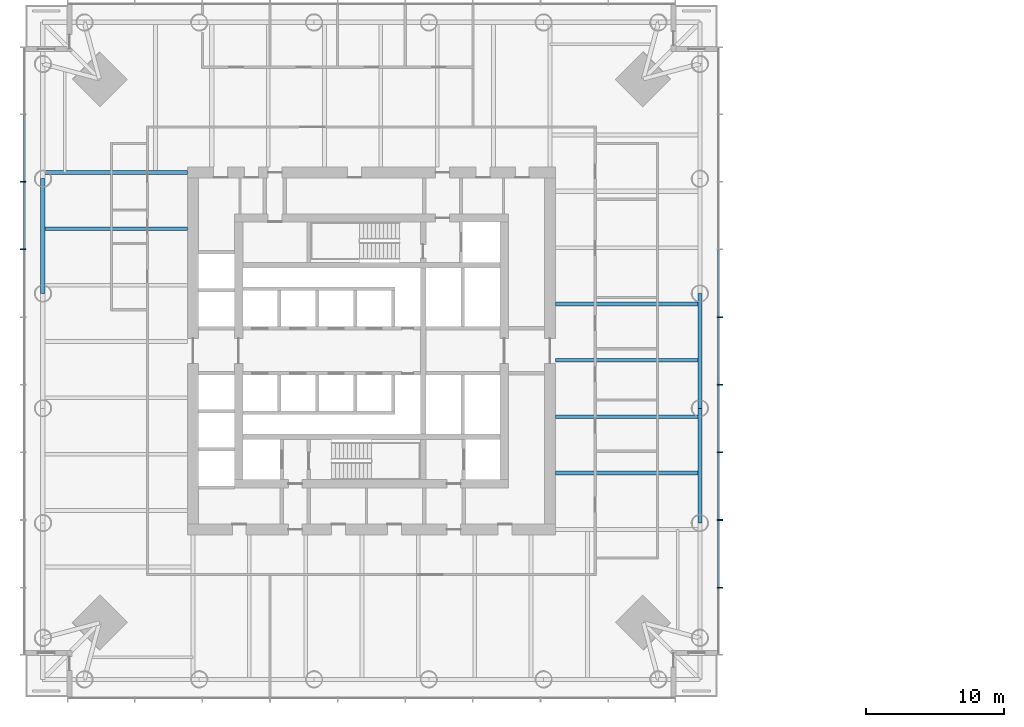
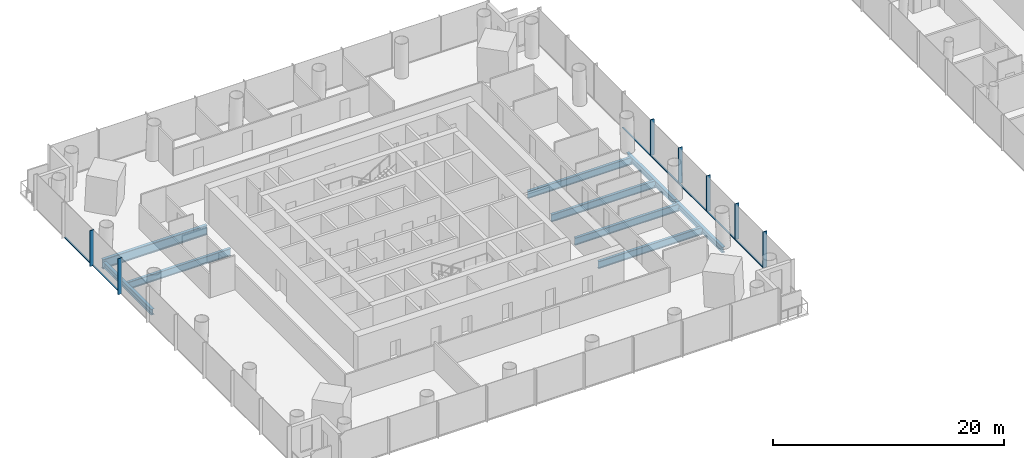
# One storey, part 3 of 20: 14 members, 9 beams, 2 elements without a shape of their own.
"""IFC4 building model written with IfcOpenShell, lengths in metres."""

from ifc_helpers import new_model, si_unit, direction, frame, origin, origin_2d, place, context, subcontext, project, spatial, rectangle, i_section, extrude, material, material_profile, profile_set, type_object, element, aggregate, save


model = new_model("IFC4")

# Units and contexts
model_context = context("Model", 3, precision=1e-05, world=origin(), true_north=direction((0.0, 1.0)))
body_context = subcontext(model_context, "Body", "Model", "MODEL_VIEW")
ifc_project = project(units=[si_unit("LENGTHUNIT", "METRE"), si_unit("AREAUNIT", "SQUARE_METRE"), si_unit("VOLUMEUNIT", "CUBIC_METRE"), si_unit("PLANEANGLEUNIT", "RADIAN"), si_unit("MASSUNIT", "GRAM", prefix="KILO")], contexts=[model_context])

# Site, building, storey
site_placement = place(None, origin())
site = spatial("IfcSite", under=ifc_project, at=site_placement, CompositionType="ELEMENT")
building_placement = place(site_placement, origin())
building = spatial("IfcBuilding", under=site, at=building_placement, Name="Ostroluk Exchange", CompositionType="ELEMENT")
storey_placement = place(building_placement, frame((0.0, 0.0, 28.60009765625)))
storey = spatial("IfcBuildingStorey", under=building, at=storey_placement, Name="L06", CompositionType="ELEMENT", Elevation=28.60009765625)

# Beams
ifc_material_1 = material(Name="Steel S355", Category="steel")
ifc_material_profile_1 = material_profile(ifc_material_1, i_section(OverallWidth=0.26806640625, OverallDepth=0.77001953125, WebThickness=0.015625, FlangeThickness=0.025390625, FilletRadius=0.01708984375, at=origin_2d()), Name="IPE 750x196")
ifc_profile_set_1 = profile_set([ifc_material_profile_1], Name="Steel S355")
beam_type_1 = type_object("IfcBeamType", Name="Floor beam IPE 750x196", PredefinedType="BEAM", material=ifc_profile_set_1)
for number, where, z_axis, x_axis, name in (
    (1, (58.300048828125, 37.173095703125, -0.565185546875), (1.0, 0.0, 0.0), (0.0, 1.0, 0.0), "T1 east floor beam 1"),
    (2, (58.300048828125, 41.24609375, -0.565185546875), (1.0, 0.0, 0.0), (0.0, 1.0, 0.0), "T1 east floor beam 2"),
    (3, (58.300048828125, 45.319091796875, -0.565185546875), (1.0, 0.0, 0.0), (0.0, 1.0, 0.0), "T1 east floor beam 3"),
    (4, (58.300048828125, 49.39208984375, -0.565185546875), (1.0, 0.0, 0.0), (0.0, 1.0, 0.0), "T1 east floor beam 4"),
    (5, (31.699951171875, 54.826904296875, -0.565185546875), (-1.0, 0.0, 0.0), (0.0, -1.0, 0.0), "T1 west floor beam 1"),
):
    element("IfcBeam", number, at=place(storey_placement, frame(where, z_axis=z_axis, x_axis=x_axis)), inside=storey, type_object=beam_type_1, Name=name, PredefinedType="BEAM", context=body_context, shape_type="SweptSolid", body=[
        extrude(i_section(OverallWidth=0.26806640625, OverallDepth=0.77001953125, WebThickness=0.015625, FlangeThickness=0.025390625, FilletRadius=0.01708984375, at=origin_2d()), origin(), (0.0, 0.0, 1.0), 10.45703125),
    ])
ifc_material_2 = material(Name="Steel S355", Category="steel")
ifc_material_profile_2 = material_profile(ifc_material_2, i_section(OverallWidth=0.302001953125, OverallDepth=1.008056640625, WebThickness=0.02099609375, FlangeThickness=0.0400390625, FilletRadius=0.030029296875, at=origin_2d()), Name="HEM 1000")
ifc_profile_set_2 = profile_set([ifc_material_profile_2], Name="Steel S355")
beam_type_2 = type_object("IfcBeamType", Name="Girder HEM 1000", PredefinedType="BEAM", material=ifc_profile_set_2)
beam_1_placement = place(storey_placement, frame((31.699951171875, 58.89990234375, -0.68408203125), z_axis=(-1.0, 0.0, 0.0), x_axis=(0.0, -1.0, 0.0)))
element("IfcBeam", 6, at=beam_1_placement, inside=storey, type_object=beam_type_2, Name="T1 north girder", PredefinedType="BEAM", context=body_context, shape_type="SweptSolid", body=[
    extrude(i_section(OverallWidth=0.302001953125, OverallDepth=1.008056640625, WebThickness=0.02099609375, FlangeThickness=0.0400390625, FilletRadius=0.030029296875, at=origin_2d()), origin(), (0.0, 0.0, 1.0), 10.45703125),
])
ifc_material_3 = material(Name="Steel S355", Category="steel")
ifc_material_profile_3 = material_profile(ifc_material_3, i_section(OverallWidth=0.300048828125, OverallDepth=0.60009765625, WebThickness=0.015380859375, FlangeThickness=0.030029296875, FilletRadius=0.027099609375, at=origin_2d()), Name="HEB 600")
ifc_profile_set_3 = profile_set([ifc_material_profile_3], Name="Steel S355")
beam_type_3 = type_object("IfcBeamType", Name="Moment-connected edge beam HEB 600", PredefinedType="SPANDREL", material=ifc_profile_set_3)
beam_2_placement = place(storey_placement, frame((68.757080078125, 33.545654296875, -0.47998046875), z_axis=(0.0, 1.0, 0.0), x_axis=(-1.0, 0.0, 0.0)))
element("IfcBeam", 7, at=beam_2_placement, inside=storey, type_object=beam_type_3, Name="T1 east edge beam 2", PredefinedType="SPANDREL", context=body_context, shape_type="SweptSolid", body=[
    extrude(i_section(OverallWidth=0.300048828125, OverallDepth=0.60009765625, WebThickness=0.015380859375, FlangeThickness=0.030029296875, FilletRadius=0.027099609375, at=origin_2d()), origin(), (0.0, 0.0, 1.0), 8.302978515625),
])
beam_3_placement = place(storey_placement, frame((68.757080078125, 41.8486328125, -0.47998046875), z_axis=(0.0, 1.0, 0.0), x_axis=(-1.0, 0.0, 0.0)))
element("IfcBeam", 8, at=beam_3_placement, inside=storey, type_object=beam_type_3, Name="T1 east edge beam 3", PredefinedType="SPANDREL", context=body_context, shape_type="SweptSolid", body=[
    extrude(i_section(OverallWidth=0.300048828125, OverallDepth=0.60009765625, WebThickness=0.015380859375, FlangeThickness=0.030029296875, FilletRadius=0.027099609375, at=origin_2d()), origin(), (0.0, 0.0, 1.0), 8.302734375),
])
beam_4_placement = place(storey_placement, frame((21.242919921875, 58.454345703125, -0.47998046875), z_axis=(0.0, -1.0, 0.0), x_axis=(1.0, 0.0, 0.0)))
element("IfcBeam", 9, at=beam_4_placement, inside=storey, type_object=beam_type_3, Name="T1 west edge beam 2", PredefinedType="SPANDREL", context=body_context, shape_type="SweptSolid", body=[
    extrude(i_section(OverallWidth=0.300048828125, OverallDepth=0.60009765625, WebThickness=0.015380859375, FlangeThickness=0.030029296875, FilletRadius=0.027099609375, at=origin_2d()), origin(), (0.0, 0.0, 1.0), 8.302978515625),
])

# Curtain wall, members
ifc_material_4 = material(Name="Laminated clear glass", Category="glass")
curtain_wall_type = type_object("IfcCurtainWallType", Name="Office tower facade", PredefinedType="USERDEFINED", material=ifc_material_4)
curtain_wall_1_placement = place(storey_placement, origin())
curtain_wall_1 = element("IfcCurtainWall", 10, at=curtain_wall_1_placement, inside=storey, type_object=curtain_wall_type, Name="Office tower east facade L06", ObjectType="UNITISED CURTAIN WALL", PredefinedType="USERDEFINED")
ifc_material_5 = material(Name="Aluminium mullion", Category="aluminium")
ifc_material_profile_4 = material_profile(ifc_material_5, rectangle(XDim=0.14990234375, YDim=0.080078125, at=origin_2d()), Name="Sill transom 80 x 150")
ifc_profile_set_4 = profile_set([ifc_material_profile_4], Name="Aluminium mullion")
member_type_1 = type_object("IfcMemberType", Name="Sill transom 80 x 150", PredefinedType="USERDEFINED", material=ifc_profile_set_4)
member_1_placement = place(storey_placement, frame((70.074951171875, 28.928955078125, 0.039794921875), z_axis=(0.0, 1.0, 0.0), x_axis=(-1.0, 0.0, 0.0)))
member_1 = element("IfcMember", 11, at=member_1_placement, type_object=member_type_1, Name="CW-O1 transom 2.1", ObjectType="TRANSOM", PredefinedType="USERDEFINED", context=body_context, shape_type="SweptSolid", body=[
    extrude(rectangle(XDim=0.14990234375, YDim=0.080078125, at=origin_2d()), origin(), (0.0, 0.0, 1.0), 4.808837890625),
])
member_2_placement = place(storey_placement, frame((70.074951171875, 33.81787109375, 0.039794921875), z_axis=(0.0, 1.0, 0.0), x_axis=(-1.0, 0.0, 0.0)))
member_2 = element("IfcMember", 12, at=member_2_placement, type_object=member_type_1, Name="CW-O1 transom 3.1", ObjectType="TRANSOM", PredefinedType="USERDEFINED", context=body_context, shape_type="SweptSolid", body=[
    extrude(rectangle(XDim=0.14990234375, YDim=0.080078125, at=origin_2d()), origin(), (0.0, 0.0, 1.0), 4.808837890625),
])
member_3_placement = place(storey_placement, frame((70.074951171875, 38.706787109375, 0.039794921875), z_axis=(0.0, 1.0, 0.0), x_axis=(-1.0, 0.0, 0.0)))
member_3 = element("IfcMember", 13, at=member_3_placement, type_object=member_type_1, Name="CW-O1 transom 4.1", ObjectType="TRANSOM", PredefinedType="USERDEFINED", context=body_context, shape_type="SweptSolid", body=[
    extrude(rectangle(XDim=0.14990234375, YDim=0.080078125, at=origin_2d()), origin(), (0.0, 0.0, 1.0), 4.808837890625),
])
member_4_placement = place(storey_placement, frame((70.074951171875, 43.595458984375, 0.039794921875), z_axis=(0.0, 1.0, 0.0), x_axis=(-1.0, 0.0, 0.0)))
member_4 = element("IfcMember", 14, at=member_4_placement, type_object=member_type_1, Name="CW-O1 transom 5.1", ObjectType="TRANSOM", PredefinedType="USERDEFINED", context=body_context, shape_type="SweptSolid", body=[
    extrude(rectangle(XDim=0.14990234375, YDim=0.080078125, at=origin_2d()), origin(), (0.0, 0.0, 1.0), 4.80908203125),
])
member_5_placement = place(storey_placement, frame((70.074951171875, 48.484375, 0.039794921875), z_axis=(0.0, 1.0, 0.0), x_axis=(-1.0, 0.0, 0.0)))
member_5 = element("IfcMember", 15, at=member_5_placement, type_object=member_type_1, Name="CW-O1 transom 6.1", ObjectType="TRANSOM", PredefinedType="USERDEFINED", context=body_context, shape_type="SweptSolid", body=[
    extrude(rectangle(XDim=0.14990234375, YDim=0.080078125, at=origin_2d()), origin(), (0.0, 0.0, 1.0), 4.808837890625),
])

curtain_wall_2_placement = place(storey_placement, origin())
curtain_wall_2 = element("IfcCurtainWall", 16, at=curtain_wall_2_placement, inside=storey, type_object=curtain_wall_type, Name="Office tower west facade L06", ObjectType="UNITISED CURTAIN WALL", PredefinedType="USERDEFINED")
member_6_placement = place(storey_placement, frame((19.925048828125, 63.071044921875, 0.039794921875), z_axis=(0.0, -1.0, 0.0), x_axis=(1.0, 0.0, 0.0)))
member_6 = element("IfcMember", 17, at=member_6_placement, type_object=member_type_1, Name="CW-O1 transom 2.1", ObjectType="TRANSOM", PredefinedType="USERDEFINED", context=body_context, shape_type="SweptSolid", body=[
    extrude(rectangle(XDim=0.14990234375, YDim=0.080078125, at=origin_2d()), origin(), (0.0, 0.0, 1.0), 4.808837890625),
])
member_7_placement = place(storey_placement, frame((19.925048828125, 58.18212890625, 0.039794921875), z_axis=(0.0, -1.0, 0.0), x_axis=(1.0, 0.0, 0.0)))
member_7 = element("IfcMember", 18, at=member_7_placement, type_object=member_type_1, Name="CW-O1 transom 3.1", ObjectType="TRANSOM", PredefinedType="USERDEFINED", context=body_context, shape_type="SweptSolid", body=[
    extrude(rectangle(XDim=0.14990234375, YDim=0.080078125, at=origin_2d()), origin(), (0.0, 0.0, 1.0), 4.808837890625),
])

# Member
ifc_material_6 = material(Name="Aluminium mullion with limestone facing", Category="masonry")
ifc_material_profile_5 = material_profile(ifc_material_6, rectangle(XDim=0.39990234375, YDim=0.080078125, at=origin_2d()), Name="Tracery mullion 80 x 400")
ifc_profile_set_5 = profile_set([ifc_material_profile_5], Name="Aluminium mullion with limestone facing")
member_type_2 = type_object("IfcMemberType", Name="Tracery mullion 80 x 400", PredefinedType="MULLION", material=ifc_profile_set_5)
member_8_placement = place(storey_placement, frame((70.199951171875, 28.888916015625, 0.0), z_axis=(0.0, 0.0, 1.0), x_axis=(-1.0, 0.0, 0.0)))
member_8 = element("IfcMember", 19, at=member_8_placement, type_object=member_type_2, Name="CW-O1 mullion 2", PredefinedType="MULLION", context=body_context, shape_type="SweptSolid", body=[
    extrude(rectangle(XDim=0.39990234375, YDim=0.080078125, at=origin_2d()), origin(), (0.0, 0.0, 1.0), 3.7998046875),
])

member_9_placement = place(storey_placement, frame((70.199951171875, 33.77783203125, 0.0), z_axis=(0.0, 0.0, 1.0), x_axis=(-1.0, 0.0, 0.0)))
member_9 = element("IfcMember", 20, at=member_9_placement, type_object=member_type_2, Name="CW-O1 mullion 3", PredefinedType="MULLION", context=body_context, shape_type="SweptSolid", body=[
    extrude(rectangle(XDim=0.39990234375, YDim=0.080078125, at=origin_2d()), origin(), (0.0, 0.0, 1.0), 3.7998046875),
])

member_10_placement = place(storey_placement, frame((70.199951171875, 38.666748046875, 0.0), z_axis=(0.0, 0.0, 1.0), x_axis=(-1.0, 0.0, 0.0)))
member_10 = element("IfcMember", 21, at=member_10_placement, type_object=member_type_2, Name="CW-O1 mullion 4", PredefinedType="MULLION", context=body_context, shape_type="SweptSolid", body=[
    extrude(rectangle(XDim=0.39990234375, YDim=0.080078125, at=origin_2d()), origin(), (0.0, 0.0, 1.0), 3.7998046875),
])

member_11_placement = place(storey_placement, frame((70.199951171875, 43.5556640625, 0.0), z_axis=(0.0, 0.0, 1.0), x_axis=(-1.0, 0.0, 0.0)))
member_11 = element("IfcMember", 22, at=member_11_placement, type_object=member_type_2, Name="CW-O1 mullion 5", PredefinedType="MULLION", context=body_context, shape_type="SweptSolid", body=[
    extrude(rectangle(XDim=0.39990234375, YDim=0.080078125, at=origin_2d()), origin(), (0.0, 0.0, 1.0), 3.7998046875),
])

member_12_placement = place(storey_placement, frame((70.199951171875, 48.4443359375, 0.0), z_axis=(0.0, 0.0, 1.0), x_axis=(-1.0, 0.0, 0.0)))
member_12 = element("IfcMember", 23, at=member_12_placement, type_object=member_type_2, Name="CW-O1 mullion 6", PredefinedType="MULLION", context=body_context, shape_type="SweptSolid", body=[
    extrude(rectangle(XDim=0.39990234375, YDim=0.080078125, at=origin_2d()), origin(), (0.0, 0.0, 1.0), 3.7998046875),
])

aggregate(curtain_wall_1, [member_8, member_9, member_10, member_11, member_12, member_1, member_2, member_3, member_4, member_5])

member_13_placement = place(storey_placement, frame((19.800048828125, 58.22216796875, 0.0), z_axis=(0.0, 0.0, 1.0), x_axis=(1.0, 0.0, 0.0)))
member_13 = element("IfcMember", 24, at=member_13_placement, type_object=member_type_2, Name="CW-O1 mullion 3", PredefinedType="MULLION", context=body_context, shape_type="SweptSolid", body=[
    extrude(rectangle(XDim=0.39990234375, YDim=0.080078125, at=origin_2d()), origin(), (0.0, 0.0, 1.0), 3.7998046875),
])

member_14_placement = place(storey_placement, frame((19.800048828125, 53.333251953125, 0.0), z_axis=(0.0, 0.0, 1.0), x_axis=(1.0, 0.0, 0.0)))
member_14 = element("IfcMember", 25, at=member_14_placement, type_object=member_type_2, Name="CW-O1 mullion 4", PredefinedType="MULLION", context=body_context, shape_type="SweptSolid", body=[
    extrude(rectangle(XDim=0.39990234375, YDim=0.080078125, at=origin_2d()), origin(), (0.0, 0.0, 1.0), 3.7998046875),
])

aggregate(curtain_wall_2, [member_13, member_14, member_6, member_7])

save(model, "model.ifc")
